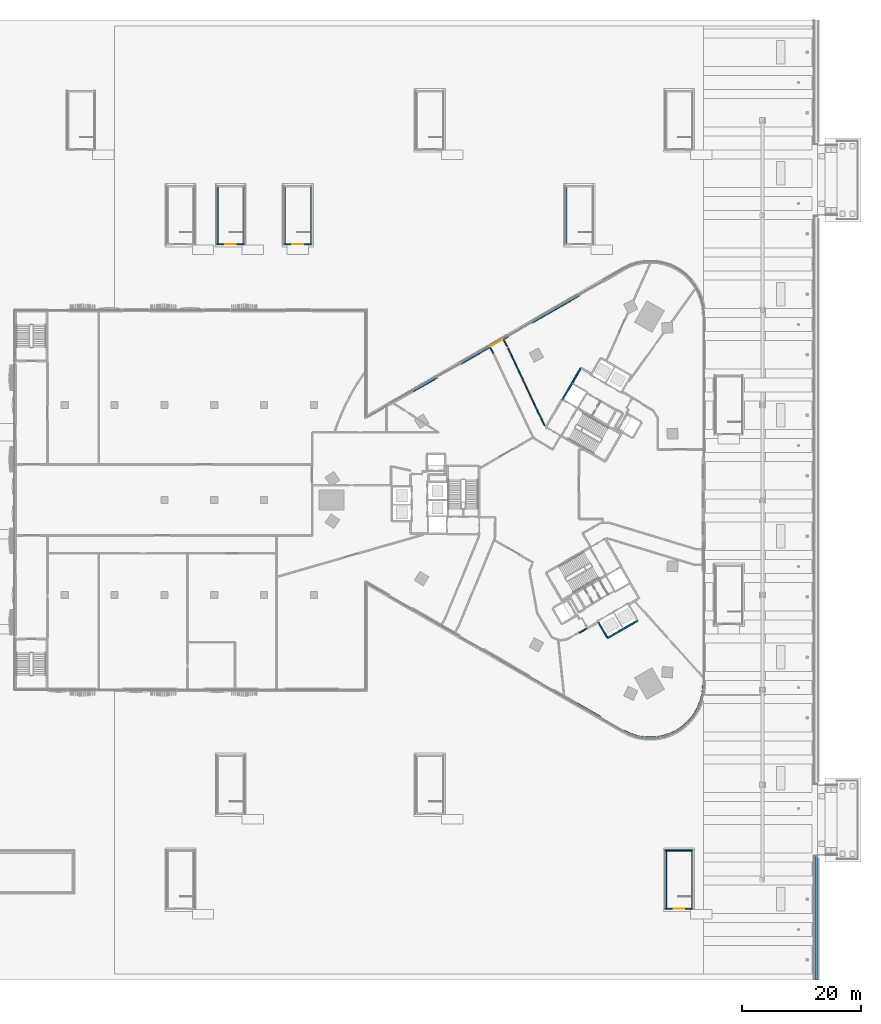
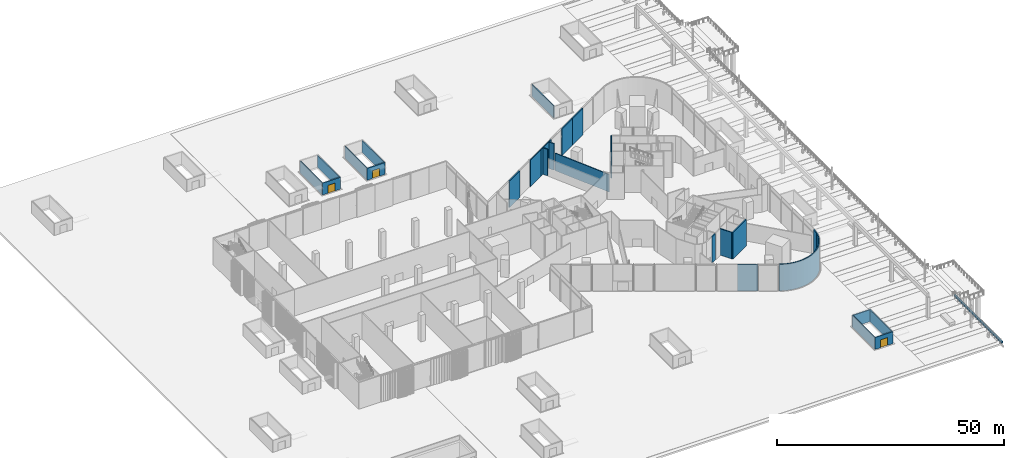
# One storey, part 20 of 41: 26 walls, 4 doors, 4 openings.
"""IFC4 building model written with IfcOpenShell, lengths in metres."""

from ifc_helpers import new_model, si_unit, direction, frame, frame_2d, origin, place, context, subcontext, project, spatial, polyline, rectangle, outline, extrude, material, layer, layer_set, type_object, element, fill, save


model = new_model("IFC4")

# Units and contexts
model_context = context("Model", 3, precision=1e-05, world=origin(), true_north=direction((0.0, 1.0)))
body_context = subcontext(model_context, "Body", "Model", "MODEL_VIEW")
ifc_project = project(units=[si_unit("LENGTHUNIT", "METRE"), si_unit("AREAUNIT", "SQUARE_METRE"), si_unit("VOLUMEUNIT", "CUBIC_METRE"), si_unit("PLANEANGLEUNIT", "RADIAN"), si_unit("MASSUNIT", "GRAM", prefix="KILO")], contexts=[model_context])

# Site, building, storey
site_placement = place(None, origin())
site = spatial("IfcSite", under=ifc_project, at=site_placement, CompositionType="ELEMENT")
building_placement = place(site_placement, origin())
building = spatial("IfcBuilding", under=site, at=building_placement, Name="Tamra Quay Hotel Tower", CompositionType="ELEMENT")
storey_placement = place(building_placement, origin())
storey = spatial("IfcBuildingStorey", under=building, at=storey_placement, Name="L00", CompositionType="ELEMENT", Elevation=0.0)

# Walls
ifc_material_1 = material(Name="Concrete M70", Category="concrete")
ifc_layer_1 = layer(ifc_material_1, 0.25)
ifc_layer_set_1 = layer_set([ifc_layer_1], Name="Concrete M70 core wall 250")
wall_type_1 = type_object("IfcWallType", Name="Concrete M70 core wall 250", PredefinedType="SHEAR", material=ifc_layer_set_1)
wall_1_placement = place(storey_placement, frame((3.178955078125, 16.856201171875, 0.0), z_axis=(0.0, 0.0, 1.0), x_axis=(0.500004234368, 0.866022959057, 0.0)))
element("IfcWall", 1, at=wall_1_placement, inside=storey, type_object=wall_type_1, Name="CW1", PredefinedType="SHEAR", context=body_context, shape_type="SweptSolid", body=[
    extrude(rectangle(XDim=6.25, YDim=0.25, at=frame_2d((3.125, 0.0))), origin(), (0.0, 0.0, 1.0), 7.10009765625),
])
wall_2_placement = place(storey_placement, frame((15.86474609375, -20.328369140625, 0.0), z_axis=(0.0, 0.0, 1.0), x_axis=(-0.86602852612, -0.499994591916, 0.0)))
element("IfcWall", 2, at=wall_2_placement, inside=storey, type_object=wall_type_1, Name="CW1", PredefinedType="SHEAR", context=body_context, shape_type="SweptSolid", body=[
    extrude(rectangle(XDim=5.85009765625, YDim=0.25, at=frame_2d((2.925048828125, 0.0))), origin(), (0.0, 0.0, 1.0), 7.10009765625),
])
wall_3_placement = place(storey_placement, frame((10.73583984375, -23.144775390625, 0.0), z_axis=(0.0, 0.0, 1.0), x_axis=(-0.500023226632, 0.866011993467, 0.0)))
element("IfcWall", 3, at=wall_3_placement, inside=storey, type_object=wall_type_1, Name="CW1", PredefinedType="SHEAR", context=body_context, shape_type="SweptSolid", body=[
    extrude(rectangle(XDim=2.974365234375, YDim=0.25, at=frame_2d((1.4873046875, 0.0))), origin(), (0.0, 0.0, 1.0), 7.10009765625),
])
ifc_layer_2 = layer(ifc_material_1, 0.199951171875)
ifc_layer_set_2 = layer_set([ifc_layer_2], Name="Concrete M70 stair enclosure wall 200")
wall_type_2 = type_object("IfcWallType", Name="Concrete M70 stair enclosure wall 200", PredefinedType="SOLIDWALL", material=ifc_layer_set_2)
for number, where, z_axis, x_axis, name in (
    (4, (-54.949951171875, 43.199951171875, 0.0), (0.0, 0.0, 1.0), (0.0, 1.0, 0.0), "SEW"),
    (5, (-50.60009765625, 43.199951171875, 0.0), (0.0, 0.0, 1.0), (0.0, 1.0, 0.0), "SEW"),
):
    element("IfcWall", number, at=place(storey_placement, frame(where, z_axis=z_axis, x_axis=x_axis)), inside=storey, type_object=wall_type_2, Name=name, PredefinedType="SOLIDWALL", context=body_context, shape_type="SweptSolid", body=[
        extrude(rectangle(XDim=9.60009765625, YDim=0.199951171875, at=frame_2d((4.800048828125, 0.0))), origin(), (0.0, 0.0, 1.0), 3.199951171875),
    ])

# Wall, opening, door
wall_4_placement = place(storey_placement, frame((-50.5, 43.10009765625, 0.0), z_axis=(0.0, 0.0, 1.0), x_axis=(-1.0, 0.0, 0.0)))
wall_4 = element("IfcWall", 6, at=wall_4_placement, inside=storey, type_object=wall_type_2, Name="SEW", PredefinedType="SOLIDWALL", context=body_context, shape_type="SweptSolid", body=[
    extrude(rectangle(XDim=4.550048828125, YDim=0.199951171875, at=frame_2d((2.27490234375, 0.0))), origin(), (0.0, 0.0, 1.0), 3.199951171875),
])
opening_1_placement = place(wall_4_placement, frame((1.375, 0.0, 0.0)))
opening_1 = element("IfcOpeningElement", 7, at=opening_1_placement, cuts=wall_4, Name="Opening SD2", PredefinedType="OPENING", context=body_context, shape_type="SweptSolid", body=[
    extrude(rectangle(XDim=1.800048828125, YDim=2.10009765625, at=frame_2d((0.89990234375, 1.050048828125))), frame((0.0, 0.10986328125, 0.0), z_axis=(0.0, -1.0, 0.0), x_axis=(1.0, 0.0, 0.0)), (0.0, 0.0, 1.0), 0.219970703125),
])
ifc_material_2 = material(Name="Stair discharge door 1800 x 2100")
door_type_1 = type_object("IfcDoorType", Name="Stair discharge door 1800 x 2100", OperationType="DOUBLE_DOOR_SINGLE_SWING", PredefinedType="DOOR", material=ifc_material_2)
door_1_placement = place(opening_1_placement, origin())
door_1 = element("IfcDoor", 8, at=door_1_placement, inside=storey, type_object=door_type_1, Name="SD2", OperationType="DOUBLE_DOOR_SINGLE_SWING", OverallHeight=2.10009765625, OverallWidth=1.800048828125, PredefinedType="DOOR", context=body_context, shape_type="SweptSolid", body=[
    extrude(rectangle(XDim=1.800048828125, YDim=2.10009765625, at=frame_2d((0.89990234375, 1.050048828125))), frame((0.0, 0.02490234375, 0.0), z_axis=(0.0, -1.0, 0.0), x_axis=(1.0, 0.0, 0.0)), (0.0, 0.0, 1.0), 0.050048828125),
])
fill(opening_1, door_1)

# Walls
for number, where, z_axis, x_axis, name in (
    (9, (3.85009765625, 43.199951171875, 0.0), (0.0, 0.0, 1.0), (0.0, 1.0, 0.0), "SEW"),
    (10, (20.64990234375, -68.800048828125, 0.0), (0.0, 0.0, 1.0), (0.0, 1.0, 0.0), "SEW"),
    (11, (25.0, -68.800048828125, 0.0), (0.0, 0.0, 1.0), (0.0, 1.0, 0.0), "SEW"),
):
    element("IfcWall", number, at=place(storey_placement, frame(where, z_axis=z_axis, x_axis=x_axis)), inside=storey, type_object=wall_type_2, Name=name, PredefinedType="SOLIDWALL", context=body_context, shape_type="SweptSolid", body=[
        extrude(rectangle(XDim=9.60009765625, YDim=0.199951171875, at=frame_2d((4.800048828125, 0.0))), origin(), (0.0, 0.0, 1.0), 3.199951171875),
    ])

# Wall, opening, door
wall_5_placement = place(storey_placement, frame((25.10009765625, -68.89990234375, 0.0), z_axis=(0.0, 0.0, 1.0), x_axis=(-1.0, 0.0, 0.0)))
wall_5 = element("IfcWall", 12, at=wall_5_placement, inside=storey, type_object=wall_type_2, Name="SEW", PredefinedType="SOLIDWALL", context=body_context, shape_type="SweptSolid", body=[
    extrude(rectangle(XDim=4.550048828125, YDim=0.199951171875, at=frame_2d((2.27490234375, 0.0))), origin(), (0.0, 0.0, 1.0), 3.199951171875),
])
opening_2_placement = place(wall_5_placement, frame((1.375, 0.0, 0.0)))
opening_2 = element("IfcOpeningElement", 13, at=opening_2_placement, cuts=wall_5, Name="Opening SD2", PredefinedType="OPENING", context=body_context, shape_type="SweptSolid", body=[
    extrude(rectangle(XDim=1.800048828125, YDim=2.10009765625, at=frame_2d((0.89990234375, 1.050048828125))), frame((0.0, 0.10986328125, 0.0), z_axis=(0.0, -1.0, 0.0), x_axis=(1.0, 0.0, 0.0)), (0.0, 0.0, 1.0), 0.219970703125),
])
door_2_placement = place(opening_2_placement, origin())
door_2 = element("IfcDoor", 14, at=door_2_placement, inside=storey, type_object=door_type_1, Name="SD2", OperationType="DOUBLE_DOOR_SINGLE_SWING", OverallHeight=2.10009765625, OverallWidth=1.800048828125, PredefinedType="DOOR", context=body_context, shape_type="SweptSolid", body=[
    extrude(rectangle(XDim=1.800048828125, YDim=2.10009765625, at=frame_2d((0.89990234375, 1.050048828125))), frame((0.0, 0.02490234375, 0.0), z_axis=(0.0, -1.0, 0.0), x_axis=(1.0, 0.0, 0.0)), (0.0, 0.0, 1.0), 0.050048828125),
])
fill(opening_2, door_2)

# Walls
wall_6_placement = place(storey_placement, frame((20.550048828125, -59.10009765625, 0.0), z_axis=(0.0, 0.0, 1.0), x_axis=(1.0, 0.0, 0.0)))
element("IfcWall", 15, at=wall_6_placement, inside=storey, type_object=wall_type_2, Name="SEW", PredefinedType="SOLIDWALL", context=body_context, shape_type="SweptSolid", body=[
    extrude(rectangle(XDim=4.550048828125, YDim=0.199951171875, at=frame_2d((2.27490234375, 0.0))), origin(), (0.0, 0.0, 1.0), 3.199951171875),
])
for number, where, z_axis, x_axis, name in (
    (16, (-43.60009765625, 43.199951171875, 0.0), (0.0, 0.0, 1.0), (0.0, 1.0, 0.0), "SEW"),
    (17, (-39.25, 43.199951171875, 0.0), (0.0, 0.0, 1.0), (0.0, 1.0, 0.0), "SEW"),
):
    element("IfcWall", number, at=place(storey_placement, frame(where, z_axis=z_axis, x_axis=x_axis)), inside=storey, type_object=wall_type_2, Name=name, PredefinedType="SOLIDWALL", context=body_context, shape_type="SweptSolid", body=[
        extrude(rectangle(XDim=9.60009765625, YDim=0.199951171875, at=frame_2d((4.800048828125, 0.0))), origin(), (0.0, 0.0, 1.0), 3.199951171875),
    ])

# Wall, opening, door
wall_7_placement = place(storey_placement, frame((-39.14990234375, 43.10009765625, 0.0), z_axis=(0.0, 0.0, 1.0), x_axis=(-1.0, 0.0, 0.0)))
wall_7 = element("IfcWall", 18, at=wall_7_placement, inside=storey, type_object=wall_type_2, Name="SEW", PredefinedType="SOLIDWALL", context=body_context, shape_type="SweptSolid", body=[
    extrude(rectangle(XDim=4.550048828125, YDim=0.199951171875, at=frame_2d((2.27490234375, 0.0))), origin(), (0.0, 0.0, 1.0), 3.199951171875),
])
opening_3_placement = place(wall_7_placement, frame((1.375, 0.0, 0.0)))
opening_3 = element("IfcOpeningElement", 19, at=opening_3_placement, cuts=wall_7, Name="Opening SD2", PredefinedType="OPENING", context=body_context, shape_type="SweptSolid", body=[
    extrude(rectangle(XDim=1.800048828125, YDim=2.10009765625, at=frame_2d((0.89990234375, 1.050048828125))), frame((0.0, 0.10986328125, 0.0), z_axis=(0.0, -1.0, 0.0), x_axis=(1.0, 0.0, 0.0)), (0.0, 0.0, 1.0), 0.219970703125),
])
door_3_placement = place(opening_3_placement, origin())
door_3 = element("IfcDoor", 20, at=door_3_placement, inside=storey, type_object=door_type_1, Name="SD2", OperationType="DOUBLE_DOOR_SINGLE_SWING", OverallHeight=2.10009765625, OverallWidth=1.800048828125, PredefinedType="DOOR", context=body_context, shape_type="SweptSolid", body=[
    extrude(rectangle(XDim=1.800048828125, YDim=2.10009765625, at=frame_2d((0.89990234375, 1.050048828125))), frame((0.0, 0.02490234375, 0.0), z_axis=(0.0, -1.0, 0.0), x_axis=(1.0, 0.0, 0.0)), (0.0, 0.0, 1.0), 0.050048828125),
])
fill(opening_3, door_3)

# Walls
ifc_material_3 = material(Name="Blockwork masonry plastered", Category="masonry")
ifc_layer_3 = layer(ifc_material_3, 0.25)
ifc_layer_set_3 = layer_set([ifc_layer_3], Name="EXTERNAL WALL 250")
wall_type_3 = type_object("IfcWallType", Name="EXTERNAL WALL 250", PredefinedType="SOLIDWALL", material=ifc_layer_set_3)
wall_8_placement = place(storey_placement, frame((9.60791015625, -36.579833984375, 0.0), z_axis=(0.0, 0.0, 1.0), x_axis=(-0.866023543838, 0.500003221507, 0.0)))
element("IfcWall", 21, at=wall_8_placement, inside=storey, type_object=wall_type_3, Name="EW1", PredefinedType="SOLIDWALL", context=body_context, shape_type="SweptSolid", body=[
    extrude(rectangle(XDim=4.56640625, YDim=0.25, at=frame_2d((2.283203125, 0.0))), origin(), (0.0, 0.0, 1.0), 7.10009765625),
])
wall_9_placement = place(storey_placement, origin())
element("IfcWall", 22, at=wall_9_placement, inside=storey, type_object=wall_type_3, Name="EW1", PredefinedType="SOLIDWALL", context=body_context, shape_type="SweptSolid", body=[
    extrude(outline(polyline([(13.5, -38.97119140625), (14.555908203125, -39.491943359375), (15.670654296875, -39.870361328125), (16.244140625, -40.00390625), (17.411376953125, -40.15771484375), (18.588623046875, -40.15771484375), (19.1748046875, -40.099853515625), (20.329345703125, -39.870361328125), (21.444091796875, -39.491943359375), (22.5, -38.97119140625), (23.000244140625, -38.66015625), (23.478759765625, -38.317138671875), (24.364013671875, -37.540771484375), (25.14013671875, -36.65576171875), (25.483154296875, -36.177001953125), (26.07177734375, -35.157470703125), (26.5224609375, -34.06982421875), (26.8271484375, -32.9326171875), (26.980712890625, -31.765625), (27.0, -31.177001953125), (26.750244140625, -31.168701171875), (26.731201171875, -31.7451171875), (26.581298828125, -32.8837890625), (26.28515625, -33.9892578125), (25.84716796875, -35.046630859375), (25.27294921875, -36.04150390625), (24.944091796875, -36.500244140625), (24.186767578125, -37.36376953125), (23.3232421875, -38.12109375), (22.861083984375, -38.4521484375), (22.37841796875, -38.75244140625), (21.348388671875, -39.26025390625), (20.2646484375, -39.628173828125), (19.137939453125, -39.852294921875), (18.576416015625, -39.90771484375), (17.427734375, -39.90771484375), (16.2890625, -39.7578125), (15.7392578125, -39.629638671875), (14.651611328125, -39.26025390625), (13.610595703125, -38.746826171875), (13.5, -38.97119140625)])), origin(), (0.0, 0.0, 1.0), 7.10009765625),
])
for number, where, z_axis, x_axis, name in (
    (23, (2.07666015625, 32.21533203125, 0.0), (0.0, 0.0, 1.0), (0.866216377649, 0.499669077583, 0.0), "EW1"),
    (24, (-1.92529296875, 29.906982421875, 0.0), (0.0, 0.0, 1.0), (0.866229571029, 0.499646205105, 0.0), "EW1"),
):
    element("IfcWall", number, at=place(storey_placement, frame(where, z_axis=z_axis, x_axis=x_axis)), inside=storey, type_object=wall_type_3, Name=name, PredefinedType="SOLIDWALL", context=body_context, shape_type="SweptSolid", body=[
        extrude(rectangle(XDim=4.619873046875, YDim=0.25, at=frame_2d((2.31005859375, 0.0))), origin(), (0.0, 0.0, 1.0), 7.10009765625),
    ])

# Wall, opening, door
wall_10_placement = place(storey_placement, frame((-9.9287109375, 25.2900390625, 0.0), z_axis=(0.0, 0.0, 1.0), x_axis=(0.866216377649, 0.499669077583, 0.0)))
wall_10 = element("IfcWall", 25, at=wall_10_placement, inside=storey, type_object=wall_type_3, Name="EW1", PredefinedType="SOLIDWALL", context=body_context, shape_type="SweptSolid", body=[
    extrude(rectangle(XDim=4.619873046875, YDim=0.25, at=frame_2d((2.31005859375, 0.0))), origin(), (0.0, 0.0, 1.0), 7.10009765625),
])
opening_4_placement = place(wall_10_placement, frame((1.10986328125, 0.0, 0.0)))
opening_4 = element("IfcOpeningElement", 26, at=opening_4_placement, cuts=wall_10, Name="Opening XD1", PredefinedType="OPENING", context=body_context, shape_type="SweptSolid", body=[
    extrude(rectangle(XDim=2.39990234375, YDim=2.39990234375, at=frame_2d((1.199951171875, 1.199951171875))), frame((0.0, 0.135009765625, 0.0), z_axis=(0.0, -1.0, 0.0), x_axis=(1.0, 0.0, 0.0)), (0.0, 0.0, 1.0), 0.27001953125),
])
ifc_material_4 = material(Name="Aluminium door set dark grey", Category="aluminium")
door_type_2 = type_object("IfcDoorType", Name="STAIR DISCHARGE DOOR PAIR 2400X2400", OperationType="DOUBLE_DOOR_DOUBLE_SWING", PredefinedType="DOOR", material=ifc_material_4)
door_4_placement = place(opening_4_placement, origin())
door_4 = element("IfcDoor", 27, at=door_4_placement, inside=storey, type_object=door_type_2, Name="XD1", OperationType="DOUBLE_DOOR_DOUBLE_SWING", OverallHeight=2.39990234375, OverallWidth=2.39990234375, PredefinedType="DOOR", context=body_context, shape_type="SweptSolid", body=[
    extrude(rectangle(XDim=2.39990234375, YDim=2.39990234375, at=frame_2d((1.199951171875, 1.199951171875))), frame((0.0, 0.02490234375, 0.0), z_axis=(0.0, -1.0, 0.0), x_axis=(1.0, 0.0, 0.0)), (0.0, 0.0, 1.0), 0.050048828125),
])
fill(opening_4, door_4)

# Walls
for number, where, z_axis, x_axis, name in (
    (28, (-13.930419921875, 22.981689453125, 0.0), (0.0, 0.0, 1.0), (0.866216377649, 0.499669077583, 0.0), "EW1"),
    (29, (-21.93408203125, 18.364990234375, 0.0), (0.0, 0.0, 1.0), (0.866229571029, 0.499646205105, 0.0), "EW1"),
):
    element("IfcWall", number, at=place(storey_placement, frame(where, z_axis=z_axis, x_axis=x_axis)), inside=storey, type_object=wall_type_3, Name=name, PredefinedType="SOLIDWALL", context=body_context, shape_type="SweptSolid", body=[
        extrude(rectangle(XDim=4.619873046875, YDim=0.25, at=frame_2d((2.31005859375, 0.0))), origin(), (0.0, 0.0, 1.0), 7.10009765625),
    ])
ifc_material_5 = material(Name="Partition atrium enclosure wall")
ifc_layer_4 = layer(ifc_material_5, 0.199951171875)
ifc_layer_set_4 = layer_set([ifc_layer_4], Name="Partition atrium enclosure wall")
wall_type_4 = type_object("IfcWallType", Name="Partition atrium enclosure wall", PredefinedType="PARTITIONING", material=ifc_layer_set_4)
wall_11_placement = place(storey_placement, frame((-8.99609375, 25.695068359375, 0.0), z_axis=(0.0, 0.0, 1.0), x_axis=(0.499734982339, -0.866178357746, 0.0)))
element("IfcWall", 30, at=wall_11_placement, inside=storey, type_object=wall_type_4, Name="W-A", PredefinedType="PARTITIONING", context=body_context, shape_type="SweptSolid", body=[
    extrude(rectangle(XDim=1.12451171875, YDim=0.199951171875, at=frame_2d((0.562255859375, 0.0))), origin(), (0.0, 0.0, 1.0), 7.10009765625),
])
wall_12_placement = place(storey_placement, frame((-6.743896484375, 26.9951171875, 0.0), z_axis=(0.0, 0.0, 1.0), x_axis=(0.499504866029, -0.866311080856, 0.0)))
element("IfcWall", 31, at=wall_12_placement, inside=storey, type_object=wall_type_4, Name="W-A", PredefinedType="PARTITIONING", context=body_context, shape_type="SweptSolid", body=[
    extrude(rectangle(XDim=1.295166015625, YDim=0.199951171875, at=frame_2d((0.6474609375, 0.0))), origin(), (0.0, 0.0, 1.0), 7.10009765625),
])
wall_13_placement = place(storey_placement, frame((-5.98095703125, 25.592041015625, 0.0), z_axis=(0.0, 0.0, 1.0), x_axis=(0.426730602237, -0.904378788514, 0.0)))
element("IfcWall", 32, at=wall_13_placement, inside=storey, type_object=wall_type_4, Name="W-A", PredefinedType="PARTITIONING", context=body_context, shape_type="SweptSolid", body=[
    extrude(rectangle(XDim=14.44189453125, YDim=0.199951171875, at=frame_2d((7.220947265625, 0.0))), origin(), (0.0, 0.0, 1.0), 4.699951171875),
])
ifc_material_6 = material(Name="Partition party wall")
ifc_layer_5 = layer(ifc_material_6, 0.199951171875)
ifc_layer_set_5 = layer_set([ifc_layer_5], Name="Partition party wall")
wall_type_5 = type_object("IfcWallType", Name="Partition party wall", PredefinedType="PARTITIONING", material=ifc_layer_set_5)
wall_14_placement = place(storey_placement, frame((6.05908203125, -22.383056640625, 0.0), z_axis=(0.0, 0.0, 1.0), x_axis=(0.866009351323, 0.500027802648, 0.0)))
element("IfcWall", 33, at=wall_14_placement, inside=storey, type_object=wall_type_5, Name="W-P", PredefinedType="PARTITIONING", context=body_context, shape_type="SweptSolid", body=[
    extrude(rectangle(XDim=1.38427734375, YDim=0.199951171875, at=frame_2d((0.692138671875, 0.0))), origin(), (0.0, 0.0, 1.0), 7.10009765625),
])
ifc_material_7 = material(Name="Concrete M40", Category="concrete")
ifc_layer_6 = layer(ifc_material_7, 0.39990234375)
ifc_layer_set_6 = layer_set([ifc_layer_6], Name="QUAY KERB 400")
wall_type_6 = type_object("IfcWallType", Name="QUAY KERB 400", PredefinedType="STANDARD", material=ifc_layer_set_6)
wall_15_placement = place(storey_placement, frame((46.0, -80.89990234375, 0.0), z_axis=(0.0, 0.0, 1.0), x_axis=(0.0, 1.0, 0.0)))
element("IfcWall", 34, at=wall_15_placement, inside=storey, type_object=wall_type_6, Name="QK1", PredefinedType="STANDARD", context=body_context, shape_type="SweptSolid", body=[
    extrude(rectangle(XDim=20.966796875, YDim=0.39990234375, at=frame_2d((10.4833984375, 0.0))), origin(), (0.0, 0.0, 1.0), 0.39990234375),
])

save(model, "model.ifc")
